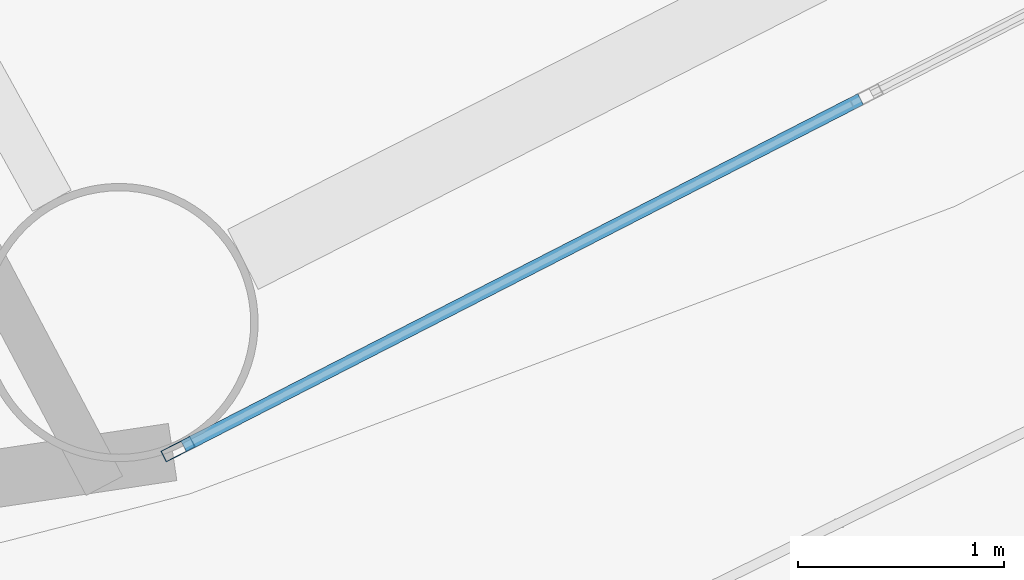
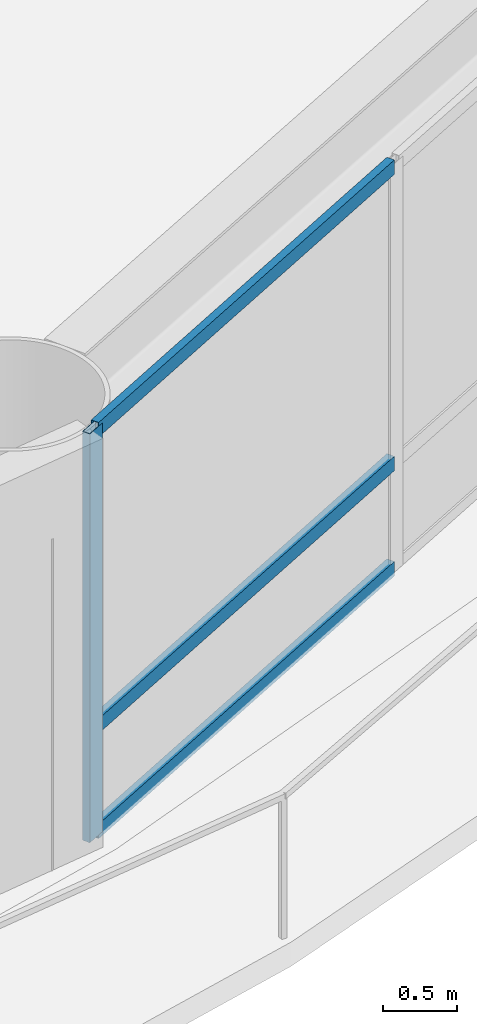
# One storey, part 6 of 26: 4 members, 1 element without a shape of its own.
"""IFC4 building model written with IfcOpenShell, lengths in metres."""

from ifc_helpers import new_model, si_unit, direction, frame, origin, origin_2d, place, context, subcontext, project, spatial, hollow_rectangle, extrude, material, layer, layer_set, material_profile, profile_set, type_object, element, aggregate, save


model = new_model("IFC4")

# Units and contexts
model_context = context("Model", 3, precision=1e-05, world=origin(), true_north=direction((0.0, 1.0)))
body_context = subcontext(model_context, "Body", "Model", "MODEL_VIEW")
ifc_project = project(units=[si_unit("LENGTHUNIT", "METRE"), si_unit("AREAUNIT", "SQUARE_METRE"), si_unit("VOLUMEUNIT", "CUBIC_METRE"), si_unit("PLANEANGLEUNIT", "RADIAN"), si_unit("MASSUNIT", "GRAM", prefix="KILO")], contexts=[model_context])

# Site, building, storey
site_placement = place(None, origin())
site = spatial("IfcSite", under=ifc_project, at=site_placement, CompositionType="ELEMENT")
building_placement = place(site_placement, origin())
building = spatial("IfcBuilding", under=site, at=building_placement, Name="Sarneth Arch Tower", CompositionType="ELEMENT")
storey_placement = place(building_placement, frame((0.0, 0.0, 42.60009765625)))
storey = spatial("IfcBuildingStorey", under=building, at=storey_placement, Name="L09", CompositionType="ELEMENT", Elevation=42.60009765625)

# Curtain wall, members
ifc_material_1 = material(Name="Anodised aluminium Type AA25 and solar-control low-e laminated IGU", Category="aluminium")
ifc_layer = layer(ifc_material_1, 0.159912109375)
ifc_layer_set = layer_set([ifc_layer], Name="Anodised aluminium Type AA25 and solar-control low-e laminated IGU")
curtain_wall_type = type_object("IfcCurtainWallType", Name="CW-HOTEL-LOW", PredefinedType="NOTDEFINED", material=ifc_layer_set)
curtain_wall_placement = place(storey_placement, origin())
curtain_wall = element("IfcCurtainWall", 1, at=curtain_wall_placement, inside=storey, type_object=curtain_wall_type, Name="L09 Unitised curtain wall facet 14", PredefinedType="NOTDEFINED")
ifc_material_2 = material(Name="Anodised Aluminium 6063-T6", Category="aluminium")
ifc_material_profile_1 = material_profile(ifc_material_2, hollow_rectangle(XDim=0.06005859375, YDim=0.159912109375, WallThickness=0.00390625, at=origin_2d()), Name="AL-MULL-160x60x4")
ifc_profile_set_1 = profile_set([ifc_material_profile_1], Name="Anodised Aluminium 6063-T6")
member_type_1 = type_object("IfcMemberType", Name="CW-MULLION", PredefinedType="MULLION", material=ifc_profile_set_1)
member_1_placement = place(storey_placement, frame((60.1044921875, 19.951416015625, 0.0), z_axis=(0.0, 0.0, 1.0), x_axis=(-0.456245197127, 0.889854100456, 0.0)))
member_1 = element("IfcMember", 2, at=member_1_placement, type_object=member_type_1, Name="CW-SYS-3 mullion 1", PredefinedType="MULLION", context=body_context, shape_type="SweptSolid", body=[
    extrude(hollow_rectangle(XDim=0.06005859375, YDim=0.159912109375, WallThickness=0.00390625, at=origin_2d()), origin(), (0.0, 0.0, 1.0), 3.3798828125),
])
ifc_material_3 = material(Name="Anodised Aluminium 6063-T6", Category="aluminium")
ifc_material_profile_2 = material_profile(ifc_material_3, hollow_rectangle(XDim=0.06005859375, YDim=0.1201171875, WallThickness=0.00390625, at=origin_2d()), Name="AL-TRAN-120x60x4")
ifc_profile_set_2 = profile_set([ifc_material_profile_2], Name="Anodised Aluminium 6063-T6")
member_type_2 = type_object("IfcMemberType", Name="CW-TRANSOM", PredefinedType="USERDEFINED", material=ifc_profile_set_2)
member_2_placement = place(storey_placement, frame((60.13134765625, 19.965087890625, 0.02978515625), z_axis=(0.889831232102, 0.456289796485, 0.0), x_axis=(-0.456289796485, 0.889831232102, 0.0)))
member_2 = element("IfcMember", 3, at=member_2_placement, type_object=member_type_2, Name="CW-SYS-3 transom 1.1", ObjectType="TRANSOM", PredefinedType="USERDEFINED", context=body_context, shape_type="SweptSolid", body=[
    extrude(hollow_rectangle(XDim=0.06005859375, YDim=0.1201171875, WallThickness=0.00390625, at=origin_2d()), origin(), (0.0, 0.0, 1.0), 3.69189453125),
])
member_3_placement = place(storey_placement, frame((60.13134765625, 19.965087890625, 0.89990234375), z_axis=(0.889831232102, 0.456289796485, 0.0), x_axis=(-0.456289796485, 0.889831232102, 0.0)))
member_3 = element("IfcMember", 4, at=member_3_placement, type_object=member_type_2, Name="CW-SYS-3 transom 1.2", ObjectType="TRANSOM", PredefinedType="USERDEFINED", context=body_context, shape_type="SweptSolid", body=[
    extrude(hollow_rectangle(XDim=0.06005859375, YDim=0.1201171875, WallThickness=0.00390625, at=origin_2d()), origin(), (0.0, 0.0, 1.0), 3.69189453125),
])
member_4_placement = place(storey_placement, frame((60.13134765625, 19.965087890625, 3.349853515625), z_axis=(0.889831232102, 0.456289796485, 0.0), x_axis=(-0.456289796485, 0.889831232102, 0.0)))
member_4 = element("IfcMember", 5, at=member_4_placement, type_object=member_type_2, Name="CW-SYS-3 transom 1.3", ObjectType="TRANSOM", PredefinedType="USERDEFINED", context=body_context, shape_type="SweptSolid", body=[
    extrude(hollow_rectangle(XDim=0.06005859375, YDim=0.1201171875, WallThickness=0.00390625, at=origin_2d()), origin(), (0.0, 0.0, 1.0), 3.69189453125),
])
aggregate(curtain_wall, [member_1, member_2, member_3, member_4])

save(model, "model.ifc")
